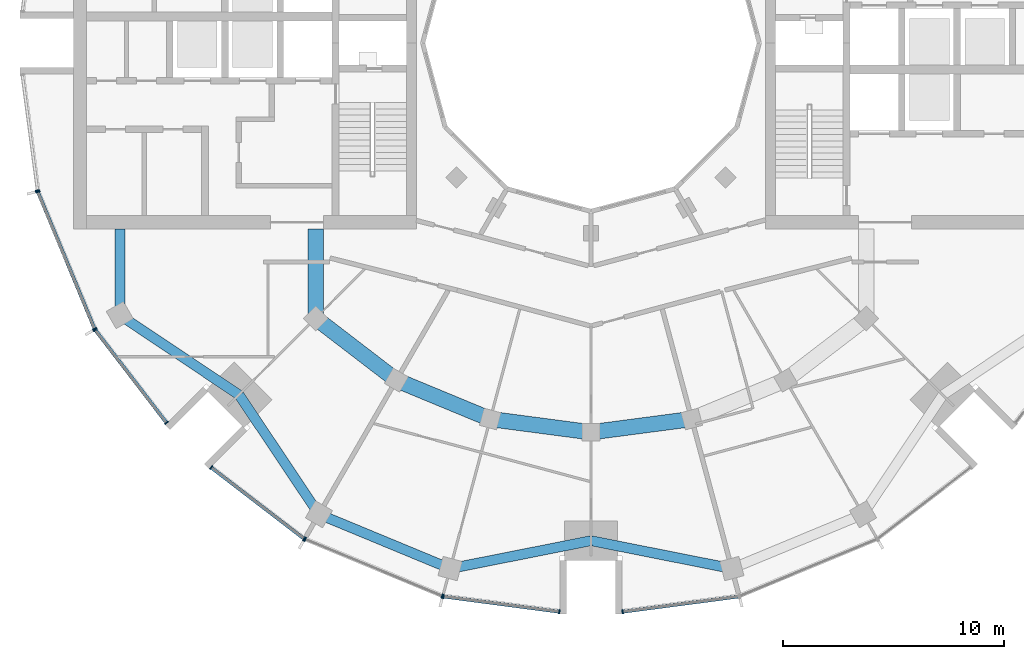
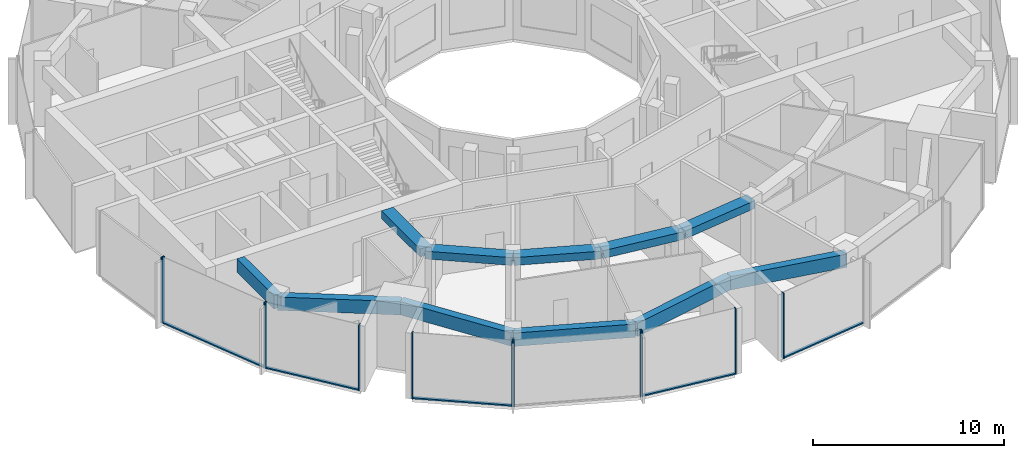
# One storey, part 2 of 15: 17 members, 11 beams, 7 elements without a shape of their own.
"""IFC4 building model written with IfcOpenShell, lengths in metres."""

from ifc_helpers import new_model, si_unit, direction, frame, origin, origin_2d, place, context, subcontext, project, spatial, rectangle, extrude, material, layer, layer_set, material_profile, profile_set, type_object, element, aggregate, save


model = new_model("IFC4")

# Units and contexts
model_context = context("Model", 3, precision=1e-05, world=origin(), true_north=direction((0.0, 1.0)))
body_context = subcontext(model_context, "Body", "Model", "MODEL_VIEW")
ifc_project = project(units=[si_unit("LENGTHUNIT", "METRE"), si_unit("AREAUNIT", "SQUARE_METRE"), si_unit("VOLUMEUNIT", "CUBIC_METRE"), si_unit("PLANEANGLEUNIT", "RADIAN"), si_unit("MASSUNIT", "GRAM", prefix="KILO")], contexts=[model_context])

# Site, building, storey
site_placement = place(None, origin())
site = spatial("IfcSite", under=ifc_project, at=site_placement, CompositionType="ELEMENT")
building_placement = place(site_placement, origin())
building = spatial("IfcBuilding", under=site, at=building_placement, Name="Torre Brocal", CompositionType="ELEMENT")
storey_placement = place(building_placement, frame((0.0, 0.0, 241.5)))
storey = spatial("IfcBuildingStorey", under=building, at=storey_placement, Name="L55", CompositionType="ELEMENT", Elevation=241.5)

# Curtain wall, members
ifc_material_1 = material(Name="Aluminium and glass", Category="aluminium")
ifc_layer_1 = layer(ifc_material_1, 0.199951171875)
ifc_layer_set_1 = layer_set([ifc_layer_1], Name="Aluminium and glass")
curtain_wall_type_1 = type_object("IfcCurtainWallType", Name="CW-1 CURTAIN WALL 4200 HIGH", PredefinedType="NOTDEFINED", material=ifc_layer_set_1)
curtain_wall_1_placement = place(storey_placement, origin())
curtain_wall_1 = element("IfcCurtainWall", 1, at=curtain_wall_1_placement, inside=storey, type_object=curtain_wall_type_1, Name="CW-1 RUN 14", PredefinedType="NOTDEFINED")
ifc_material_2 = material(Name="Aluminium, dark anodised", Category="aluminium")
ifc_material_profile_1 = material_profile(ifc_material_2, rectangle(XDim=0.199951171875, YDim=0.06005859375, at=origin_2d()), Name="CW-1 MULLION 60X200")
ifc_profile_set_1 = profile_set([ifc_material_profile_1], Name="Aluminium, dark anodised")
member_type_1 = type_object("IfcMemberType", Name="CW-1 MULLION 60X200", PredefinedType="MULLION", material=ifc_profile_set_1)
member_1_placement = place(storey_placement, frame((54.994873046875, 68.26904296875, 0.0), z_axis=(0.0, 0.0, 1.0), x_axis=(0.923879532525, 0.382683432333, 0.0)))
member_1 = element("IfcMember", 2, at=member_1_placement, type_object=member_type_1, Name="CW1-5 mullion 1", PredefinedType="MULLION", context=body_context, shape_type="SweptSolid", body=[
    extrude(rectangle(XDim=0.199951171875, YDim=0.06005859375, at=origin_2d()), origin(), (0.0, 0.0, 1.0), 4.199951171875),
])
member_2_placement = place(storey_placement, frame((57.559326171875, 62.078125, 0.0), z_axis=(0.0, 0.0, 1.0), x_axis=(0.923879532525, 0.382683432333, 0.0)))
member_2 = element("IfcMember", 3, at=member_2_placement, type_object=member_type_1, Name="CW1-5 mullion 2", PredefinedType="MULLION", context=body_context, shape_type="SweptSolid", body=[
    extrude(rectangle(XDim=0.199951171875, YDim=0.06005859375, at=origin_2d()), origin(), (0.0, 0.0, 1.0), 4.199951171875),
])

curtain_wall_2_placement = place(storey_placement, origin())
curtain_wall_2 = element("IfcCurtainWall", 4, at=curtain_wall_2_placement, inside=storey, type_object=curtain_wall_type_1, Name="CW-1 RUN 15", PredefinedType="NOTDEFINED")
member_3_placement = place(storey_placement, frame((57.5888671875, 62.026611328125, 0.0), z_axis=(0.0, 0.0, 1.0), x_axis=(0.793353340259, 0.60876142905, 0.0)))
member_3 = element("IfcMember", 5, at=member_3_placement, type_object=member_type_1, Name="CW1-5 mullion 1", PredefinedType="MULLION", context=body_context, shape_type="SweptSolid", body=[
    extrude(rectangle(XDim=0.199951171875, YDim=0.06005859375, at=origin_2d()), origin(), (0.0, 0.0, 1.0), 4.199951171875),
])
member_4_placement = place(storey_placement, frame((60.80859375, 57.83056640625, 0.0), z_axis=(0.0, 0.0, 1.0), x_axis=(0.793353340259, 0.60876142905, 0.0)))
member_4 = element("IfcMember", 6, at=member_4_placement, type_object=member_type_1, Name="CW1-5 mullion 2", PredefinedType="MULLION", context=body_context, shape_type="SweptSolid", body=[
    extrude(rectangle(XDim=0.199951171875, YDim=0.06005859375, at=origin_2d()), origin(), (0.0, 0.0, 1.0), 4.199951171875),
])

curtain_wall_3_placement = place(storey_placement, origin())
curtain_wall_3 = element("IfcCurtainWall", 7, at=curtain_wall_3_placement, inside=storey, type_object=curtain_wall_type_1, Name="CW-1 RUN 16", PredefinedType="NOTDEFINED")
member_5_placement = place(storey_placement, frame((62.83056640625, 55.80859375, 0.0), z_axis=(0.0, 0.0, 1.0), x_axis=(0.60876142905, 0.793353340259, 0.0)))
member_5 = element("IfcMember", 8, at=member_5_placement, type_object=member_type_1, Name="CW1-5 mullion 1", PredefinedType="MULLION", context=body_context, shape_type="SweptSolid", body=[
    extrude(rectangle(XDim=0.199951171875, YDim=0.06005859375, at=origin_2d()), origin(), (0.0, 0.0, 1.0), 4.199951171875),
])
member_6_placement = place(storey_placement, frame((67.026611328125, 52.5888671875, 0.0), z_axis=(0.0, 0.0, 1.0), x_axis=(0.60876142905, 0.793353340259, 0.0)))
member_6 = element("IfcMember", 9, at=member_6_placement, type_object=member_type_1, Name="CW1-5 mullion 2", PredefinedType="MULLION", context=body_context, shape_type="SweptSolid", body=[
    extrude(rectangle(XDim=0.199951171875, YDim=0.06005859375, at=origin_2d()), origin(), (0.0, 0.0, 1.0), 4.199951171875),
])

curtain_wall_4_placement = place(storey_placement, origin())
curtain_wall_4 = element("IfcCurtainWall", 10, at=curtain_wall_4_placement, inside=storey, type_object=curtain_wall_type_1, Name="CW-1 RUN 17", PredefinedType="NOTDEFINED")
member_7_placement = place(storey_placement, frame((67.078125, 52.559326171875, 0.0), z_axis=(0.0, 0.0, 1.0), x_axis=(0.382683432333, 0.923879532525, 0.0)))
member_7 = element("IfcMember", 11, at=member_7_placement, type_object=member_type_1, Name="CW1-5 mullion 1", PredefinedType="MULLION", context=body_context, shape_type="SweptSolid", body=[
    extrude(rectangle(XDim=0.199951171875, YDim=0.06005859375, at=origin_2d()), origin(), (0.0, 0.0, 1.0), 4.199951171875),
])
member_8_placement = place(storey_placement, frame((73.26904296875, 49.994873046875, 0.0), z_axis=(0.0, 0.0, 1.0), x_axis=(0.382683432333, 0.923879532525, 0.0)))
member_8 = element("IfcMember", 12, at=member_8_placement, type_object=member_type_1, Name="CW1-5 mullion 2", PredefinedType="MULLION", context=body_context, shape_type="SweptSolid", body=[
    extrude(rectangle(XDim=0.199951171875, YDim=0.06005859375, at=origin_2d()), origin(), (0.0, 0.0, 1.0), 4.199951171875),
])
aggregate(curtain_wall_4, [member_7, member_8])

curtain_wall_5_placement = place(storey_placement, origin())
curtain_wall_5 = element("IfcCurtainWall", 13, at=curtain_wall_5_placement, inside=storey, type_object=curtain_wall_type_1, Name="CW-1 RUN 18", PredefinedType="NOTDEFINED")
member_9_placement = place(storey_placement, frame((73.32666015625, 49.9794921875, 0.0), z_axis=(0.0, 0.0, 1.0), x_axis=(0.13052619222, 0.991444861374, 0.0)))
member_9 = element("IfcMember", 14, at=member_9_placement, type_object=member_type_1, Name="CW1-5 mullion 1", PredefinedType="MULLION", context=body_context, shape_type="SweptSolid", body=[
    extrude(rectangle(XDim=0.199951171875, YDim=0.06005859375, at=origin_2d()), origin(), (0.0, 0.0, 1.0), 4.199951171875),
])
member_10_placement = place(storey_placement, frame((78.5703125, 49.2890625, 0.0), z_axis=(0.0, 0.0, 1.0), x_axis=(0.13052619222, 0.991444861374, 0.0)))
member_10 = element("IfcMember", 15, at=member_10_placement, type_object=member_type_1, Name="CW1-5 mullion 2", PredefinedType="MULLION", context=body_context, shape_type="SweptSolid", body=[
    extrude(rectangle(XDim=0.199951171875, YDim=0.06005859375, at=origin_2d()), origin(), (0.0, 0.0, 1.0), 4.199951171875),
])

# Curtain wall, member
curtain_wall_6_placement = place(storey_placement, origin())
curtain_wall_6 = element("IfcCurtainWall", 16, at=curtain_wall_6_placement, inside=storey, type_object=curtain_wall_type_1, Name="CW-1 RUN 19", PredefinedType="NOTDEFINED")
member_11_placement = place(storey_placement, frame((81.4296875, 49.2890625, 0.0), z_axis=(0.0, 0.0, 1.0), x_axis=(-0.13052619222, 0.991444861374, 0.0)))
member_11 = element("IfcMember", 17, at=member_11_placement, type_object=member_type_1, Name="CW1-5 mullion 1", PredefinedType="MULLION", context=body_context, shape_type="SweptSolid", body=[
    extrude(rectangle(XDim=0.199951171875, YDim=0.06005859375, at=origin_2d()), origin(), (0.0, 0.0, 1.0), 4.199951171875),
])

# Member
ifc_material_3 = material(Name="Aluminium, dark anodised", Category="aluminium")
ifc_material_profile_2 = material_profile(ifc_material_3, rectangle(XDim=0.159912109375, YDim=0.080078125, at=origin_2d()), Name="CW-1 TRANSOM 160X80")
ifc_profile_set_2 = profile_set([ifc_material_profile_2], Name="Aluminium, dark anodised")
member_type_2 = type_object("IfcMemberType", Name="CW-1 TRANSOM 160X80", PredefinedType="USERDEFINED", material=ifc_profile_set_2)
member_12_placement = place(storey_placement, frame((55.00634765625, 68.241455078125, 0.0400390625), z_axis=(0.38266457234, -0.923887344364, 0.0), x_axis=(0.923887344364, 0.38266457234, 0.0)))
member_12 = element("IfcMember", 18, at=member_12_placement, type_object=member_type_2, Name="CW1-5 transom 1.1", ObjectType="TRANSOM", PredefinedType="USERDEFINED", context=body_context, shape_type="SweptSolid", body=[
    extrude(rectangle(XDim=0.159912109375, YDim=0.080078125, at=origin_2d()), origin(), (0.0, 0.0, 1.0), 6.640869140625),
])

aggregate(curtain_wall_1, [member_1, member_2, member_12])

member_13_placement = place(storey_placement, frame((57.607177734375, 62.0029296875, 0.0400390625), z_axis=(0.60874908096, -0.79336281513, 0.0), x_axis=(0.79336281513, 0.60874908096, 0.0)))
member_13 = element("IfcMember", 19, at=member_13_placement, type_object=member_type_2, Name="CW1-5 transom 1.1", ObjectType="TRANSOM", PredefinedType="USERDEFINED", context=body_context, shape_type="SweptSolid", body=[
    extrude(rectangle(XDim=0.159912109375, YDim=0.080078125, at=origin_2d()), origin(), (0.0, 0.0, 1.0), 5.22900390625),
])

aggregate(curtain_wall_2, [member_3, member_4, member_13])

member_14_placement = place(storey_placement, frame((62.8544921875, 55.790283203125, 0.0400390625), z_axis=(0.79336281513, -0.60874908096, 0.0), x_axis=(0.60874908096, 0.79336281513, 0.0)))
member_14 = element("IfcMember", 20, at=member_14_placement, type_object=member_type_2, Name="CW1-5 transom 1.1", ObjectType="TRANSOM", PredefinedType="USERDEFINED", context=body_context, shape_type="SweptSolid", body=[
    extrude(rectangle(XDim=0.159912109375, YDim=0.080078125, at=origin_2d()), origin(), (0.0, 0.0, 1.0), 5.22900390625),
])

aggregate(curtain_wall_3, [member_5, member_6, member_14])

member_15_placement = place(storey_placement, frame((73.356201171875, 49.9755859375, 0.0400390625), z_axis=(0.991442690863, -0.130542677827, 0.0), x_axis=(0.130542677827, 0.991442690863, 0.0)))
member_15 = element("IfcMember", 21, at=member_15_placement, type_object=member_type_2, Name="CW1-5 transom 1.1", ObjectType="TRANSOM", PredefinedType="USERDEFINED", context=body_context, shape_type="SweptSolid", body=[
    extrude(rectangle(XDim=0.159912109375, YDim=0.080078125, at=origin_2d()), origin(), (0.0, 0.0, 1.0), 5.22900390625),
])

aggregate(curtain_wall_5, [member_9, member_10, member_15])

member_16_placement = place(storey_placement, frame((81.45947265625, 49.29296875, 0.0400390625), z_axis=(0.991442690863, 0.130542677827, 0.0), x_axis=(-0.130542677827, 0.991442690863, 0.0)))
member_16 = element("IfcMember", 22, at=member_16_placement, type_object=member_type_2, Name="CW1-5 transom 1.1", ObjectType="TRANSOM", PredefinedType="USERDEFINED", context=body_context, shape_type="SweptSolid", body=[
    extrude(rectangle(XDim=0.159912109375, YDim=0.080078125, at=origin_2d()), origin(), (0.0, 0.0, 1.0), 5.22900390625),
])

aggregate(curtain_wall_6, [member_11, member_16])

# Curtain wall, member
ifc_material_4 = material(Name="Aluminium and glass", Category="aluminium")
ifc_layer_2 = layer(ifc_material_4, 0.199951171875)
ifc_layer_set_2 = layer_set([ifc_layer_2], Name="Aluminium and glass")
curtain_wall_type_2 = type_object("IfcCurtainWallType", Name="CW-1B CURTAIN WALL 4200 HIGH", PredefinedType="NOTDEFINED", material=ifc_layer_set_2)
curtain_wall_7_placement = place(storey_placement, origin())
curtain_wall_7 = element("IfcCurtainWall", 23, at=curtain_wall_7_placement, inside=storey, type_object=curtain_wall_type_2, Name="CW-1B RUN 13", PredefinedType="NOTDEFINED")
ifc_material_5 = material(Name="Aluminium, dark anodised", Category="aluminium")
ifc_material_profile_3 = material_profile(ifc_material_5, rectangle(XDim=0.199951171875, YDim=0.06005859375, at=origin_2d()), Name="CW-1B MULLION 60X200")
ifc_profile_set_3 = profile_set([ifc_material_profile_3], Name="Aluminium, dark anodised")
member_type_3 = type_object("IfcMemberType", Name="CW-1B MULLION 60X200", PredefinedType="MULLION", material=ifc_profile_set_3)
member_17_placement = place(storey_placement, frame((54.9794921875, 68.32666015625, 0.0), z_axis=(0.0, 0.0, 1.0), x_axis=(0.991444861374, 0.13052619222, 0.0)))
member_17 = element("IfcMember", 24, at=member_17_placement, type_object=member_type_3, Name="CW1B-5 mullion 2", PredefinedType="MULLION", context=body_context, shape_type="SweptSolid", body=[
    extrude(rectangle(XDim=0.199951171875, YDim=0.06005859375, at=origin_2d()), origin(), (0.0, 0.0, 1.0), 4.199951171875),
])
aggregate(curtain_wall_7, [member_17])

# Beams
ifc_material_6 = material(Name="Concrete C50", Category="concrete")
ifc_material_profile_4 = material_profile(ifc_material_6, rectangle(XDim=0.699951171875, YDim=0.5, at=origin_2d()), Name="RC 700X500")
ifc_profile_set_4 = profile_set([ifc_material_profile_4], Name="Concrete C50")
beam_type_1 = type_object("IfcBeamType", Name="RC BEAM 700X500 C50 TOP 3880", PredefinedType="BEAM", material=ifc_profile_set_4)
beam_1_placement = place(storey_placement, frame((67.554931640625, 62.554931640625, 3.6298828125), z_axis=(0.0, 1.0, 0.0), x_axis=(-1.0, 0.0, 0.0)))
element("IfcBeam", 25, at=beam_1_placement, inside=storey, type_object=beam_type_1, Name="Beam BT-37", PredefinedType="BEAM", context=body_context, shape_type="SweptSolid", body=[
    extrude(rectangle(XDim=0.699951171875, YDim=0.5, at=origin_2d()), origin(), (0.0, 0.0, 1.0), 4.045166015625),
])
beam_2_placement = place(storey_placement, frame((67.554931640625, 62.554931640625, 3.6298828125), z_axis=(0.793358265959, -0.6087550097, 0.0), x_axis=(0.6087550097, 0.793358265959, 0.0)))
element("IfcBeam", 26, at=beam_2_placement, inside=storey, type_object=beam_type_1, Name="Beam BT-37", PredefinedType="BEAM", context=body_context, shape_type="SweptSolid", body=[
    extrude(rectangle(XDim=0.699951171875, YDim=0.5, at=origin_2d()), origin(), (0.0, 0.0, 1.0), 4.594482421875),
])
beam_3_placement = place(storey_placement, frame((71.199951171875, 59.758056640625, 3.6298828125), z_axis=(0.923878240166, -0.382686552348, 0.0), x_axis=(0.382686552348, 0.923878240166, 0.0)))
element("IfcBeam", 27, at=beam_3_placement, inside=storey, type_object=beam_type_1, Name="Beam BT-37", PredefinedType="BEAM", context=body_context, shape_type="SweptSolid", body=[
    extrude(rectangle(XDim=0.699951171875, YDim=0.5, at=origin_2d()), origin(), (0.0, 0.0, 1.0), 4.5947265625),
])
for number, where, z_axis, x_axis, name in (
    (28, (75.44482421875, 57.999755859375, 3.6298828125), (0.991440544449, -0.130558978332, 0.0), (0.130558978332, 0.991440544449, 0.0), "Beam BT-37"),
    (29, (80.0, 57.39990234375, 3.6298828125), (0.991440544449, 0.130558978332, 0.0), (-0.130558978332, 0.991440544449, 0.0), "Beam BT-37"),
):
    element("IfcBeam", number, at=place(storey_placement, frame(where, z_axis=z_axis, x_axis=x_axis)), inside=storey, type_object=beam_type_1, Name=name, PredefinedType="BEAM", context=body_context, shape_type="SweptSolid", body=[
        extrude(rectangle(XDim=0.699951171875, YDim=0.5, at=origin_2d()), origin(), (0.0, 0.0, 1.0), 4.594482421875),
    ])
ifc_material_7 = material(Name="Concrete C50", Category="concrete")
ifc_material_profile_5 = material_profile(ifc_material_7, rectangle(XDim=0.449951171875, YDim=0.85009765625, at=origin_2d()), Name="RC 450X850")
ifc_profile_set_5 = profile_set([ifc_material_profile_5], Name="Concrete C50")
beam_type_2 = type_object("IfcBeamType", Name="RC SPANDREL BEAM 450X850 C50 TOP 3880", PredefinedType="SPANDREL", material=ifc_profile_set_5)
beam_4_placement = place(storey_placement, frame((58.69580078125, 62.699951171875, 3.455078125), z_axis=(0.0, 1.0, 0.0), x_axis=(-1.0, 0.0, 0.0)))
element("IfcBeam", 30, at=beam_4_placement, inside=storey, type_object=beam_type_2, Name="Beam BT-38", PredefinedType="SPANDREL", context=body_context, shape_type="SweptSolid", body=[
    extrude(rectangle(XDim=0.449951171875, YDim=0.85009765625, at=origin_2d()), origin(), (0.0, 0.0, 1.0), 3.900146484375),
])
for number, where, z_axis, x_axis, name in (
    (31, (58.69580078125, 62.699951171875, 3.455078125), (0.831076844476, -0.556157602282, 0.0), (0.556157602282, 0.831076844476, 0.0), "Beam BT-38"),
    (32, (64.090087890625, 59.090087890625, 3.455078125), (0.556157602282, -0.831076844476, 0.0), (0.831076844476, 0.556157602282, 0.0), "Beam BT-38"),
):
    element("IfcBeam", number, at=place(storey_placement, frame(where, z_axis=z_axis, x_axis=x_axis)), inside=storey, type_object=beam_type_2, Name=name, PredefinedType="SPANDREL", context=body_context, shape_type="SweptSolid", body=[
        extrude(rectangle(XDim=0.449951171875, YDim=0.85009765625, at=origin_2d()), origin(), (0.0, 0.0, 1.0), 6.49072265625),
    ])
beam_5_placement = place(storey_placement, frame((67.699951171875, 53.69580078125, 3.455078125), z_axis=(0.923882462513, -0.382676358639, 0.0), x_axis=(0.382676358639, 0.923882462513, 0.0)))
element("IfcBeam", 33, at=beam_5_placement, inside=storey, type_object=beam_type_2, Name="Beam BT-38", PredefinedType="SPANDREL", context=body_context, shape_type="SweptSolid", body=[
    extrude(rectangle(XDim=0.449951171875, YDim=0.85009765625, at=origin_2d()), origin(), (0.0, 0.0, 1.0), 6.421875),
])
for number, where, z_axis, x_axis, name in (
    (34, (73.633056640625, 51.23828125, 3.455078125), (0.980924907484, 0.194387051723, 0.0), (-0.194387051723, 0.980924907484, 0.0), "Beam BT-38"),
    (35, (80.0, 52.5, 3.455078125), (0.980924907484, -0.194387051723, 0.0), (0.194387051723, 0.980924907484, 0.0), "Beam BT-38"),
):
    element("IfcBeam", number, at=place(storey_placement, frame(where, z_axis=z_axis, x_axis=x_axis)), inside=storey, type_object=beam_type_2, Name=name, PredefinedType="SPANDREL", context=body_context, shape_type="SweptSolid", body=[
        extrude(rectangle(XDim=0.449951171875, YDim=0.85009765625, at=origin_2d()), origin(), (0.0, 0.0, 1.0), 6.49072265625),
    ])

save(model, "model.ifc")
